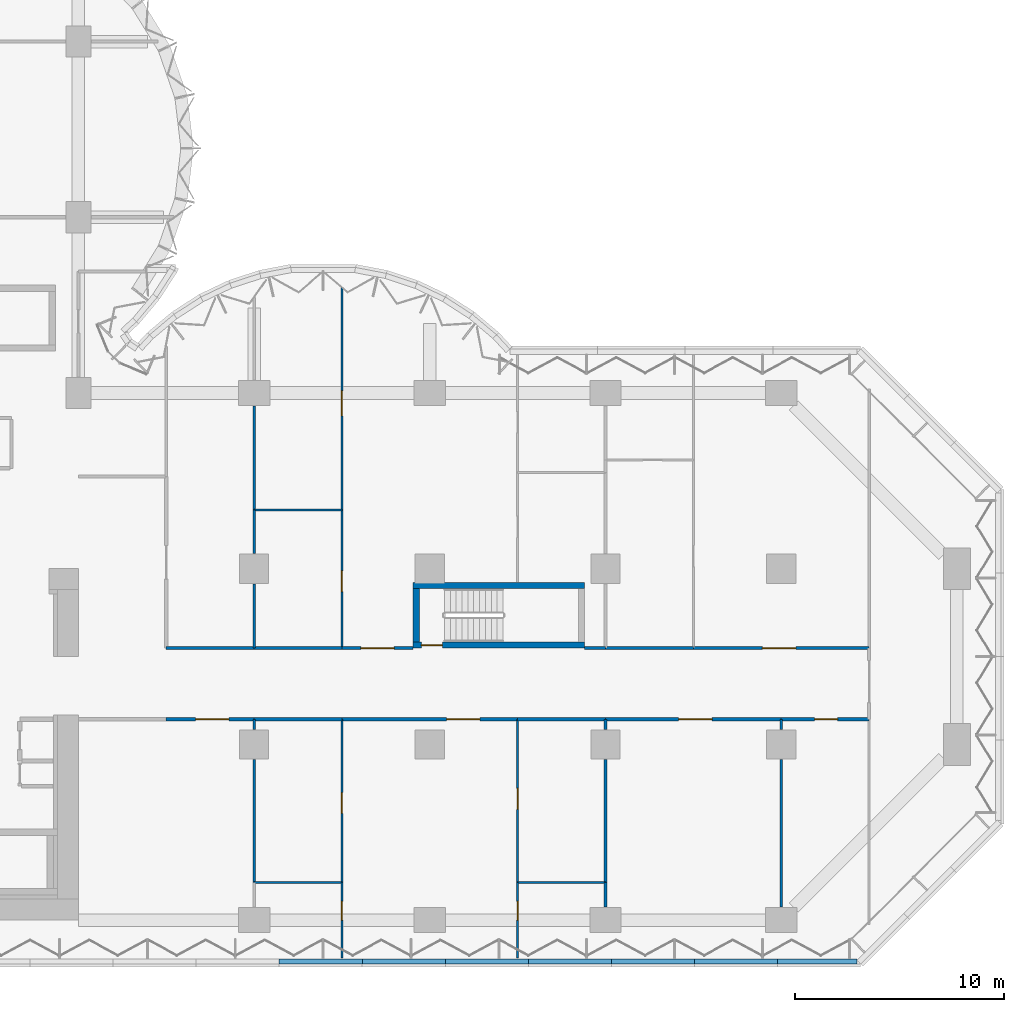
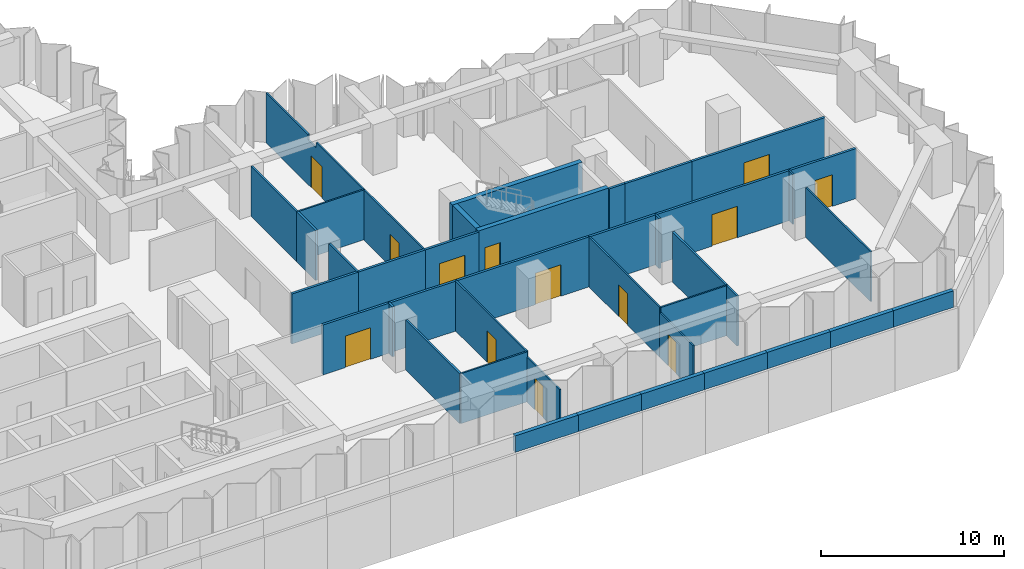
# One storey, part 12 of 24: 41 walls, 13 doors, 13 openings.
"""IFC4 building model written with IfcOpenShell, lengths in metres."""

from ifc_helpers import new_model, si_unit, direction, frame, frame_2d, origin, place, context, subcontext, project, spatial, polyline, rectangle, outline, extrude, material, layer, layer_set, type_object, element, fill, save


model = new_model("IFC4")

# Units and contexts
model_context = context("Model", 3, precision=1e-05, world=origin(), true_north=direction((0.0, 1.0)))
body_context = subcontext(model_context, "Body", "Model", "MODEL_VIEW")
ifc_project = project(units=[si_unit("LENGTHUNIT", "METRE"), si_unit("AREAUNIT", "SQUARE_METRE"), si_unit("VOLUMEUNIT", "CUBIC_METRE"), si_unit("PLANEANGLEUNIT", "RADIAN"), si_unit("MASSUNIT", "GRAM", prefix="KILO")], contexts=[model_context])

# Site, building, storey
site_placement = place(None, origin())
site = spatial("IfcSite", under=ifc_project, at=site_placement, CompositionType="ELEMENT")
building_placement = place(site_placement, origin())
building = spatial("IfcBuilding", under=site, at=building_placement, Name="Brevane Broadcast Tower", CompositionType="ELEMENT")
storey_placement = place(building_placement, frame((0.0, 0.0, 36.5)))
storey = spatial("IfcBuildingStorey", under=building, at=storey_placement, Name="L06", CompositionType="ELEMENT", Elevation=36.5)

# Walls
ifc_material_1 = material(Name="Concrete C50/60", Category="concrete")
ifc_layer_1 = layer(ifc_material_1, 0.25)
ifc_layer_set_1 = layer_set([ifc_layer_1], Name="CORNICE PARAPET 1100")
wall_type_1 = type_object("IfcWallType", Name="CORNICE PARAPET 1100", PredefinedType="PARAPET", material=ifc_layer_set_1)
wall_1_placement = place(storey_placement, frame((62.427001953125, -1.97509765625, 0.0), z_axis=(0.0, 0.0, 1.0), x_axis=(-1.0, 0.0, 0.0)))
element("IfcWall", 1, at=wall_1_placement, inside=storey, type_object=wall_type_1, Name="Cornice parapet", PredefinedType="PARAPET", context=body_context, shape_type="SweptSolid", body=[
    extrude(rectangle(XDim=3.801025390625, YDim=0.25, at=frame_2d((1.900390625, 0.0))), origin(), (0.0, 0.0, 1.0), 1.10009765625),
])
for number, where, z_axis, x_axis, name in (
    (2, (58.6259765625, -1.97509765625, 0.0), (0.0, 0.0, 1.0), (-1.0, 0.0, 0.0), "Cornice parapet"),
    (3, (54.655029296875, -1.97509765625, 0.0), (0.0, 0.0, 1.0), (-1.0, 0.0, 0.0), "Cornice parapet"),
):
    element("IfcWall", number, at=place(storey_placement, frame(where, z_axis=z_axis, x_axis=x_axis)), inside=storey, type_object=wall_type_1, Name=name, PredefinedType="PARAPET", context=body_context, shape_type="SweptSolid", body=[
        extrude(rectangle(XDim=3.970947265625, YDim=0.25, at=frame_2d((1.9853515625, 0.0))), origin(), (0.0, 0.0, 1.0), 1.10009765625),
    ])
wall_2_placement = place(storey_placement, frame((50.68408203125, -1.97509765625, 0.0), z_axis=(0.0, 0.0, 1.0), x_axis=(-1.0, 0.0, 0.0)))
element("IfcWall", 4, at=wall_2_placement, inside=storey, type_object=wall_type_1, Name="Cornice parapet", PredefinedType="PARAPET", context=body_context, shape_type="SweptSolid", body=[
    extrude(rectangle(XDim=3.97119140625, YDim=0.25, at=frame_2d((1.985595703125, 0.0))), origin(), (0.0, 0.0, 1.0), 1.10009765625),
])
for number, where, z_axis, x_axis, name in (
    (5, (46.712890625, -1.97509765625, 0.0), (0.0, 0.0, 1.0), (-1.0, 0.0, 0.0), "Cornice parapet"),
    (6, (42.741943359375, -1.97509765625, 0.0), (0.0, 0.0, 1.0), (-1.0, 0.0, 0.0), "Cornice parapet"),
    (7, (38.77099609375, -1.97509765625, 0.0), (0.0, 0.0, 1.0), (-1.0, 0.0, 0.0), "Cornice parapet"),
):
    element("IfcWall", number, at=place(storey_placement, frame(where, z_axis=z_axis, x_axis=x_axis)), inside=storey, type_object=wall_type_1, Name=name, PredefinedType="PARAPET", context=body_context, shape_type="SweptSolid", body=[
        extrude(rectangle(XDim=3.970947265625, YDim=0.25, at=frame_2d((1.9853515625, 0.0))), origin(), (0.0, 0.0, 1.0), 1.10009765625),
    ])

# Wall, opening, door
ifc_material_2 = material(Name="Concrete C80/95", Category="concrete")
ifc_layer_2 = layer(ifc_material_2, 0.300048828125)
ifc_layer_set_2 = layer_set([ifc_layer_2], Name="Core wall 300 mm C80/95")
wall_type_2 = type_object("IfcWallType", Name="Core wall 300 mm C80/95", PredefinedType="SHEAR", material=ifc_layer_set_2)
wall_3_placement = place(storey_placement, frame((49.39990234375, 13.14990234375, 0.0), z_axis=(0.0, 0.0, 1.0), x_axis=(-1.0, 0.0, 0.0)))
wall_3 = element("IfcWall", 8, at=wall_3_placement, inside=storey, type_object=wall_type_2, Name="L06 stair wall ST-4-S", PredefinedType="SHEAR", context=body_context, shape_type="SweptSolid", body=[
    extrude(rectangle(XDim=8.199951171875, YDim=0.300048828125, at=frame_2d((4.10009765625, 0.0))), origin(), (0.0, 0.0, 1.0), 3.35009765625),
])
opening_1_placement = place(wall_3_placement, frame((6.800048828125, 0.0, 0.0)))
opening_1 = element("IfcOpeningElement", 9, at=opening_1_placement, cuts=wall_3, Name="Opening L06-K15", PredefinedType="OPENING", context=body_context, shape_type="SweptSolid", body=[
    extrude(rectangle(XDim=1.0, YDim=2.10009765625, at=frame_2d((0.5, 1.050048828125))), frame((0.0, 0.159912109375, 0.0), z_axis=(0.0, -1.0, 0.0), x_axis=(1.0, 0.0, 0.0)), (0.0, 0.0, 1.0), 0.320068359375),
])
ifc_material_3 = material(Name="Steel", Category="steel")
door_type_1 = type_object("IfcDoorType", Name="Stair door 1000 x 2100", OperationType="SINGLE_SWING_LEFT", PredefinedType="DOOR", material=ifc_material_3)
door_1_placement = place(opening_1_placement, origin())
door_1 = element("IfcDoor", 10, at=door_1_placement, inside=storey, type_object=door_type_1, Name="Door L06-K15", OperationType="SINGLE_SWING_LEFT", OverallHeight=2.10009765625, OverallWidth=1.0, PredefinedType="DOOR", context=body_context, shape_type="SweptSolid", body=[
    extrude(rectangle(XDim=1.0, YDim=2.10009765625, at=frame_2d((0.5, 1.050048828125))), frame((0.0, 0.02490234375, 0.0), z_axis=(0.0, -1.0, 0.0), x_axis=(1.0, 0.0, 0.0)), (0.0, 0.0, 1.0), 0.050048828125),
])
fill(opening_1, door_1)

# Walls
wall_4_placement = place(storey_placement, frame((41.199951171875, 16.0, 0.0), z_axis=(0.0, 0.0, 1.0), x_axis=(1.0, 0.0, 0.0)))
element("IfcWall", 11, at=wall_4_placement, inside=storey, type_object=wall_type_2, Name="L06 stair wall ST-4-N", PredefinedType="SHEAR", context=body_context, shape_type="SweptSolid", body=[
    extrude(rectangle(XDim=8.199951171875, YDim=0.300048828125, at=frame_2d((4.10009765625, 0.0))), origin(), (0.0, 0.0, 1.0), 3.35009765625),
])
wall_5_placement = place(storey_placement, frame((41.35009765625, 13.300048828125, 0.0), z_axis=(0.0, 0.0, 1.0), x_axis=(0.0, 1.0, 0.0)))
element("IfcWall", 12, at=wall_5_placement, inside=storey, type_object=wall_type_2, Name="L06 stair wall ST-4-W", PredefinedType="SHEAR", context=body_context, shape_type="SweptSolid", body=[
    extrude(rectangle(XDim=2.550048828125, YDim=0.300048828125, at=frame_2d((1.27490234375, 0.0))), origin(), (0.0, 0.0, 1.0), 3.35009765625),
])

# Wall, opening, door
ifc_material_4 = material(Name="Gypsum board partition")
ifc_layer_3 = layer(ifc_material_4, 0.10009765625)
ifc_layer_set_3 = layer_set([ifc_layer_3], Name="PARTITION 100 STUD")
wall_type_3 = type_object("IfcWallType", Name="PARTITION 100 STUD", PredefinedType="PARTITIONING", material=ifc_layer_set_3)
wall_6_placement = place(storey_placement, frame((46.199951171875, 1.800048828125, 0.0), z_axis=(0.0, 0.0, 1.0), x_axis=(0.0, -1.0, 0.0)))
wall_6 = element("IfcWall", 13, at=wall_6_placement, inside=storey, type_object=wall_type_3, Name="Partition G01-025", PredefinedType="PARTITIONING", context=body_context, shape_type="SweptSolid", body=[
    extrude(rectangle(XDim=3.6201171875, YDim=0.10009765625, at=frame_2d((1.81005859375, 0.0))), origin(), (0.0, 0.0, 1.0), 2.97998046875),
])
opening_2_placement = place(wall_6_placement, frame((0.89990234375, 0.0, 0.0)))
opening_2 = element("IfcOpeningElement", 14, at=opening_2_placement, cuts=wall_6, Name="Opening D07-005", PredefinedType="OPENING", context=body_context, shape_type="SweptSolid", body=[
    extrude(rectangle(XDim=0.89990234375, YDim=2.10009765625, at=frame_2d((0.449951171875, 1.050048828125))), frame((0.0, 0.06005859375, 0.0), z_axis=(0.0, -1.0, 0.0), x_axis=(1.0, 0.0, 0.0)), (0.0, 0.0, 1.0), 0.1201171875),
])
ifc_material_5 = material(Name="Timber door leaf", Category="wood")
door_type_2 = type_object("IfcDoorType", Name="DOOR SINGLE 900 INTERNAL", OperationType="SINGLE_SWING_LEFT", PredefinedType="DOOR", material=ifc_material_5)
door_2_placement = place(opening_2_placement, origin())
door_2 = element("IfcDoor", 15, at=door_2_placement, inside=storey, type_object=door_type_2, Name="Door D07-005", OperationType="SINGLE_SWING_LEFT", OverallHeight=2.10009765625, OverallWidth=0.89990234375, PredefinedType="DOOR", context=body_context, shape_type="SweptSolid", body=[
    extrude(rectangle(XDim=0.89990234375, YDim=2.10009765625, at=frame_2d((0.449951171875, 1.050048828125))), frame((0.0, 0.02490234375, 0.0), z_axis=(0.0, -1.0, 0.0), x_axis=(1.0, 0.0, 0.0)), (0.0, 0.0, 1.0), 0.050048828125),
])
fill(opening_2, door_2)

wall_7_placement = place(storey_placement, frame((46.199951171875, 9.60009765625, 0.0), z_axis=(0.0, 0.0, 1.0), x_axis=(0.0, -1.0, 0.0)))
wall_7 = element("IfcWall", 16, at=wall_7_placement, inside=storey, type_object=wall_type_3, Name="Partition G01-026", PredefinedType="PARTITIONING", context=body_context, shape_type="SweptSolid", body=[
    extrude(rectangle(XDim=7.800048828125, YDim=0.10009765625, at=frame_2d((3.89990234375, 0.0))), origin(), (0.0, 0.0, 1.0), 3.330078125),
])
opening_3_placement = place(wall_7_placement, frame((3.300048828125, 0.0, 0.0)))
opening_3 = element("IfcOpeningElement", 17, at=opening_3_placement, cuts=wall_7, Name="Opening D07-006", PredefinedType="OPENING", context=body_context, shape_type="SweptSolid", body=[
    extrude(rectangle(XDim=1.0, YDim=2.10009765625, at=frame_2d((0.5, 1.050048828125))), frame((0.0, 0.06005859375, 0.0), z_axis=(0.0, -1.0, 0.0), x_axis=(1.0, 0.0, 0.0)), (0.0, 0.0, 1.0), 0.1201171875),
])
door_type_3 = type_object("IfcDoorType", Name="DOOR SINGLE 1000 INTERNAL", OperationType="SINGLE_SWING_LEFT", PredefinedType="DOOR", material=ifc_material_5)
door_3_placement = place(opening_3_placement, origin())
door_3 = element("IfcDoor", 18, at=door_3_placement, inside=storey, type_object=door_type_3, Name="Door D07-006", OperationType="SINGLE_SWING_LEFT", OverallHeight=2.10009765625, OverallWidth=1.0, PredefinedType="DOOR", context=body_context, shape_type="SweptSolid", body=[
    extrude(rectangle(XDim=1.0, YDim=2.10009765625, at=frame_2d((0.5, 1.050048828125))), frame((0.0, 0.02490234375, 0.0), z_axis=(0.0, -1.0, 0.0), x_axis=(1.0, 0.0, 0.0)), (0.0, 0.0, 1.0), 0.050048828125),
])
fill(opening_3, door_3)

wall_8_placement = place(storey_placement, frame((37.800048828125, -1.820068359375, 0.0), z_axis=(0.0, 0.0, 1.0), x_axis=(0.0, 1.0, 0.0)))
wall_8 = element("IfcWall", 19, at=wall_8_placement, inside=storey, type_object=wall_type_3, Name="Partition G01-027", PredefinedType="PARTITIONING", context=body_context, shape_type="SweptSolid", body=[
    extrude(rectangle(XDim=3.6201171875, YDim=0.10009765625, at=frame_2d((1.81005859375, 0.0))), origin(), (0.0, 0.0, 1.0), 2.97998046875),
])
opening_4_placement = place(wall_8_placement, frame((1.820068359375, 0.0, 0.0)))
opening_4 = element("IfcOpeningElement", 20, at=opening_4_placement, cuts=wall_8, Name="Opening D07-007", PredefinedType="OPENING", context=body_context, shape_type="SweptSolid", body=[
    extrude(rectangle(XDim=0.89990234375, YDim=2.10009765625, at=frame_2d((0.449951171875, 1.050048828125))), frame((0.0, 0.06005859375, 0.0), z_axis=(0.0, -1.0, 0.0), x_axis=(1.0, 0.0, 0.0)), (0.0, 0.0, 1.0), 0.1201171875),
])
door_4_placement = place(opening_4_placement, origin())
door_4 = element("IfcDoor", 21, at=door_4_placement, inside=storey, type_object=door_type_2, Name="Door D07-007", OperationType="SINGLE_SWING_LEFT", OverallHeight=2.10009765625, OverallWidth=0.89990234375, PredefinedType="DOOR", context=body_context, shape_type="SweptSolid", body=[
    extrude(rectangle(XDim=0.89990234375, YDim=2.10009765625, at=frame_2d((0.449951171875, 1.050048828125))), frame((0.0, 0.02490234375, 0.0), z_axis=(0.0, -1.0, 0.0), x_axis=(1.0, 0.0, 0.0)), (0.0, 0.0, 1.0), 0.050048828125),
])
fill(opening_4, door_4)

wall_9_placement = place(storey_placement, frame((37.800048828125, 1.800048828125, 0.0), z_axis=(0.0, 0.0, 1.0), x_axis=(0.0, 1.0, 0.0)))
wall_9 = element("IfcWall", 22, at=wall_9_placement, inside=storey, type_object=wall_type_3, Name="Partition G01-028", PredefinedType="PARTITIONING", context=body_context, shape_type="SweptSolid", body=[
    extrude(rectangle(XDim=7.800048828125, YDim=0.10009765625, at=frame_2d((3.89990234375, 0.0))), origin(), (0.0, 0.0, 1.0), 3.330078125),
])
opening_5_placement = place(wall_9_placement, frame((3.300048828125, 0.0, 0.0)))
opening_5 = element("IfcOpeningElement", 23, at=opening_5_placement, cuts=wall_9, Name="Opening D07-008", PredefinedType="OPENING", context=body_context, shape_type="SweptSolid", body=[
    extrude(rectangle(XDim=1.0, YDim=2.10009765625, at=frame_2d((0.5, 1.050048828125))), frame((0.0, 0.06005859375, 0.0), z_axis=(0.0, -1.0, 0.0), x_axis=(1.0, 0.0, 0.0)), (0.0, 0.0, 1.0), 0.1201171875),
])
door_5_placement = place(opening_5_placement, origin())
door_5 = element("IfcDoor", 24, at=door_5_placement, inside=storey, type_object=door_type_3, Name="Door D07-008", OperationType="SINGLE_SWING_LEFT", OverallHeight=2.10009765625, OverallWidth=1.0, PredefinedType="DOOR", context=body_context, shape_type="SweptSolid", body=[
    extrude(rectangle(XDim=1.0, YDim=2.10009765625, at=frame_2d((0.5, 1.050048828125))), frame((0.0, 0.02490234375, 0.0), z_axis=(0.0, -1.0, 0.0), x_axis=(1.0, 0.0, 0.0)), (0.0, 0.0, 1.0), 0.050048828125),
])
fill(opening_5, door_5)

# Walls
for number, where, z_axis, x_axis, name in (
    (25, (46.199951171875, 1.800048828125, 0.0), (0.0, 0.0, 1.0), (1.0, 0.0, 0.0), "Partition G01-029"),
    (26, (33.60009765625, 1.800048828125, 0.0), (0.0, 0.0, 1.0), (1.0, 0.0, 0.0), "Partition G01-033"),
):
    element("IfcWall", number, at=place(storey_placement, frame(where, z_axis=z_axis, x_axis=x_axis)), inside=storey, type_object=wall_type_3, Name=name, PredefinedType="PARTITIONING", context=body_context, shape_type="SweptSolid", body=[
        extrude(rectangle(XDim=4.199951171875, YDim=0.10009765625, at=frame_2d((2.10009765625, 0.0))), origin(), (0.0, 0.0, 1.0), 3.330078125),
    ])
wall_10_placement = place(storey_placement, frame((58.800048828125, 9.60009765625, 0.0), z_axis=(0.0, 0.0, 1.0), x_axis=(0.0, -1.0, 0.0)))
element("IfcWall", 27, at=wall_10_placement, inside=storey, type_object=wall_type_3, Name="Partition G01-034", PredefinedType="PARTITIONING", context=body_context, shape_type="SweptSolid", body=[
    extrude(rectangle(XDim=0.47998046875, YDim=0.10009765625, at=frame_2d((0.239990234375, 0.0))), origin(), (0.0, 0.0, 1.0), 3.330078125),
])
wall_11_placement = place(storey_placement, frame((58.800048828125, 7.679931640625, 0.0), z_axis=(0.0, 0.0, 1.0), x_axis=(0.0, -1.0, 0.0)))
element("IfcWall", 28, at=wall_11_placement, inside=storey, type_object=wall_type_3, Name="Partition G01-035", PredefinedType="PARTITIONING", context=body_context, shape_type="SweptSolid", body=[
    extrude(rectangle(XDim=7.059814453125, YDim=0.10009765625, at=frame_2d((3.52978515625, 0.0))), origin(), (0.0, 0.0, 1.0), 3.330078125),
])

# Wall, opening, door
wall_12_placement = place(storey_placement, frame((37.800048828125, 13.0, 0.0), z_axis=(0.0, 0.0, 1.0), x_axis=(0.0, 1.0, 0.0)))
wall_12 = element("IfcWall", 29, at=wall_12_placement, inside=storey, type_object=wall_type_3, Name="Partition G01-042", PredefinedType="PARTITIONING", context=body_context, shape_type="SweptSolid", body=[
    extrude(rectangle(XDim=6.60009765625, YDim=0.10009765625, at=frame_2d((3.300048828125, 0.0))), origin(), (0.0, 0.0, 1.0), 3.330078125),
])
opening_6_placement = place(wall_12_placement, frame((2.699951171875, 0.0, 0.0)))
opening_6 = element("IfcOpeningElement", 30, at=opening_6_placement, cuts=wall_12, Name="Opening D07-015", PredefinedType="OPENING", context=body_context, shape_type="SweptSolid", body=[
    extrude(rectangle(XDim=1.0, YDim=2.10009765625, at=frame_2d((0.5, 1.050048828125))), frame((0.0, 0.06005859375, 0.0), z_axis=(0.0, -1.0, 0.0), x_axis=(1.0, 0.0, 0.0)), (0.0, 0.0, 1.0), 0.1201171875),
])
door_6_placement = place(opening_6_placement, origin())
door_6 = element("IfcDoor", 31, at=door_6_placement, inside=storey, type_object=door_type_3, Name="Door D07-015", OperationType="SINGLE_SWING_LEFT", OverallHeight=2.10009765625, OverallWidth=1.0, PredefinedType="DOOR", context=body_context, shape_type="SweptSolid", body=[
    extrude(rectangle(XDim=1.0, YDim=2.10009765625, at=frame_2d((0.5, 1.050048828125))), frame((0.0, 0.02490234375, 0.0), z_axis=(0.0, -1.0, 0.0), x_axis=(1.0, 0.0, 0.0)), (0.0, 0.0, 1.0), 0.050048828125),
])
fill(opening_6, door_6)

wall_13_placement = place(storey_placement, frame((37.800048828125, 19.60009765625, 0.0), z_axis=(0.0, 0.0, 1.0), x_axis=(0.0, 1.0, 0.0)))
wall_13 = element("IfcWall", 32, at=wall_13_placement, inside=storey, type_object=wall_type_3, Name="Partition G01-043", PredefinedType="PARTITIONING", context=body_context, shape_type="SweptSolid", body=[
    extrude(outline(polyline([(0.0, 0.0), (10.642578125, 0.0), (10.642822265625, 3.330078125), (6.050048828125, 3.330078125), (6.048095703125, 2.97998046875), (5.152099609375, 2.97998046875), (5.14990234375, 3.330078125), (0.0, 3.330078125), (0.0, 0.0)])), frame((0.0, 0.050048828125, 0.0), z_axis=(0.0, -1.0, 0.0), x_axis=(1.0, 0.0, 0.0)), (0.0, 0.0, 1.0), 0.10009765625),
])
opening_7_placement = place(wall_13_placement, frame((4.5, 0.0, 0.0)))
opening_7 = element("IfcOpeningElement", 33, at=opening_7_placement, cuts=wall_13, Name="Opening D07-016", PredefinedType="OPENING", context=body_context, shape_type="SweptSolid", body=[
    extrude(rectangle(XDim=1.199951171875, YDim=2.10009765625, at=frame_2d((0.60009765625, 1.050048828125))), frame((0.0, 0.06005859375, 0.0), z_axis=(0.0, -1.0, 0.0), x_axis=(1.0, 0.0, 0.0)), (0.0, 0.0, 1.0), 0.1201171875),
])
door_type_4 = type_object("IfcDoorType", Name="DOOR SINGLE 1200 INTERNAL", OperationType="SINGLE_SWING_LEFT", PredefinedType="DOOR", material=ifc_material_5)
door_7_placement = place(opening_7_placement, origin())
door_7 = element("IfcDoor", 34, at=door_7_placement, inside=storey, type_object=door_type_4, Name="Door D07-016", OperationType="SINGLE_SWING_LEFT", OverallHeight=2.10009765625, OverallWidth=1.199951171875, PredefinedType="DOOR", context=body_context, shape_type="SweptSolid", body=[
    extrude(rectangle(XDim=1.199951171875, YDim=2.10009765625, at=frame_2d((0.60009765625, 1.050048828125))), frame((0.0, 0.02490234375, 0.0), z_axis=(0.0, -1.0, 0.0), x_axis=(1.0, 0.0, 0.0)), (0.0, 0.0, 1.0), 0.050048828125),
])
fill(opening_7, door_7)

# Walls
wall_14_placement = place(storey_placement, frame((33.60009765625, 19.60009765625, 0.0), z_axis=(0.0, 0.0, 1.0), x_axis=(1.0, 0.0, 0.0)))
element("IfcWall", 35, at=wall_14_placement, inside=storey, type_object=wall_type_3, Name="Partition G01-049", PredefinedType="PARTITIONING", context=body_context, shape_type="SweptSolid", body=[
    extrude(rectangle(XDim=4.199951171875, YDim=0.10009765625, at=frame_2d((2.10009765625, 0.0))), origin(), (0.0, 0.0, 1.0), 3.330078125),
])
ifc_layer_4 = layer(ifc_material_4, 0.125)
ifc_layer_set_4 = layer_set([ifc_layer_4], Name="PARTITION 125 ACOUSTIC")
wall_type_4 = type_object("IfcWallType", Name="PARTITION 125 ACOUSTIC", PredefinedType="PARTITIONING", material=ifc_layer_set_4)
wall_15_placement = place(storey_placement, frame((33.60009765625, 9.60009765625, 0.0), z_axis=(0.0, 0.0, 1.0), x_axis=(0.0, -1.0, 0.0)))
element("IfcWall", 36, at=wall_15_placement, inside=storey, type_object=wall_type_4, Name="Partition G01-023", PredefinedType="PARTITIONING", context=body_context, shape_type="SweptSolid", body=[
    extrude(rectangle(XDim=0.47998046875, YDim=0.125, at=frame_2d((0.239990234375, 0.0))), origin(), (0.0, 0.0, 1.0), 3.330078125),
])
wall_16_placement = place(storey_placement, frame((33.60009765625, 7.679931640625, 0.0), z_axis=(0.0, 0.0, 1.0), x_axis=(0.0, -1.0, 0.0)))
element("IfcWall", 37, at=wall_16_placement, inside=storey, type_object=wall_type_4, Name="Partition G01-024", PredefinedType="PARTITIONING", context=body_context, shape_type="SweptSolid", body=[
    extrude(rectangle(XDim=5.8798828125, YDim=0.125, at=frame_2d((2.93994140625, 0.0))), origin(), (0.0, 0.0, 1.0), 3.330078125),
])
wall_17_placement = place(storey_placement, frame((50.39990234375, 1.800048828125, 0.0), z_axis=(0.0, 0.0, 1.0), x_axis=(0.0, -1.0, 0.0)))
element("IfcWall", 38, at=wall_17_placement, inside=storey, type_object=wall_type_4, Name="Partition G01-030", PredefinedType="PARTITIONING", context=body_context, shape_type="SweptSolid", body=[
    extrude(rectangle(XDim=1.179931640625, YDim=0.125, at=frame_2d((0.58984375, 0.0))), origin(), (0.0, 0.0, 1.0), 3.330078125),
])
wall_18_placement = place(storey_placement, frame((50.39990234375, 9.60009765625, 0.0), z_axis=(0.0, 0.0, 1.0), x_axis=(0.0, -1.0, 0.0)))
element("IfcWall", 39, at=wall_18_placement, inside=storey, type_object=wall_type_4, Name="Partition G01-031", PredefinedType="PARTITIONING", context=body_context, shape_type="SweptSolid", body=[
    extrude(rectangle(XDim=0.47998046875, YDim=0.125, at=frame_2d((0.239990234375, 0.0))), origin(), (0.0, 0.0, 1.0), 3.330078125),
])
wall_19_placement = place(storey_placement, frame((50.39990234375, 7.679931640625, 0.0), z_axis=(0.0, 0.0, 1.0), x_axis=(0.0, -1.0, 0.0)))
element("IfcWall", 40, at=wall_19_placement, inside=storey, type_object=wall_type_4, Name="Partition G01-032", PredefinedType="PARTITIONING", context=body_context, shape_type="SweptSolid", body=[
    extrude(rectangle(XDim=5.8798828125, YDim=0.125, at=frame_2d((2.93994140625, 0.0))), origin(), (0.0, 0.0, 1.0), 3.330078125),
])
wall_20_placement = place(storey_placement, frame((33.60009765625, 19.60009765625, 0.0), z_axis=(0.0, 0.0, 1.0), x_axis=(0.0, -1.0, 0.0)))
element("IfcWall", 41, at=wall_20_placement, inside=storey, type_object=wall_type_4, Name="Partition G01-036", PredefinedType="PARTITIONING", context=body_context, shape_type="SweptSolid", body=[
    extrude(rectangle(XDim=2.080078125, YDim=0.125, at=frame_2d((1.0400390625, 0.0))), origin(), (0.0, 0.0, 1.0), 3.330078125),
])
wall_21_placement = place(storey_placement, frame((33.60009765625, 16.080078125, 0.0), z_axis=(0.0, 0.0, 1.0), x_axis=(0.0, -1.0, 0.0)))
element("IfcWall", 42, at=wall_21_placement, inside=storey, type_object=wall_type_4, Name="Partition G01-037", PredefinedType="PARTITIONING", context=body_context, shape_type="SweptSolid", body=[
    extrude(rectangle(XDim=3.080078125, YDim=0.125, at=frame_2d((1.5400390625, 0.0))), origin(), (0.0, 0.0, 1.0), 3.330078125),
])
wall_22_placement = place(storey_placement, frame((33.60009765625, 24.580078125, 0.0), z_axis=(0.0, 0.0, 1.0), x_axis=(0.0, -1.0, 0.0)))
element("IfcWall", 43, at=wall_22_placement, inside=storey, type_object=wall_type_4, Name="Partition G01-039", PredefinedType="PARTITIONING", context=body_context, shape_type="SweptSolid", body=[
    extrude(rectangle(XDim=4.97998046875, YDim=0.125, at=frame_2d((2.489990234375, 0.0))), origin(), (0.0, 0.0, 1.0), 3.330078125),
])

# Wall, opening, door
ifc_layer_5 = layer(ifc_material_4, 0.14990234375)
ifc_layer_set_5 = layer_set([ifc_layer_5], Name="PARTITION 150 EI 60")
wall_type_5 = type_object("IfcWallType", Name="PARTITION 150 EI 60", PredefinedType="PARTITIONING", material=ifc_layer_set_5)
wall_23_placement = place(storey_placement, frame((33.60009765625, 9.60009765625, 0.0), z_axis=(0.0, 0.0, 1.0), x_axis=(-1.0, 0.0, 0.0)))
wall_23 = element("IfcWall", 44, at=wall_23_placement, inside=storey, type_object=wall_type_5, Name="Partition G01-008", PredefinedType="PARTITIONING", context=body_context, shape_type="SweptSolid", body=[
    extrude(rectangle(XDim=4.2001953125, YDim=0.14990234375, at=frame_2d((2.10009765625, 0.0))), origin(), (0.0, 0.0, 1.0), 3.330078125),
])
opening_8_placement = place(wall_23_placement, frame((1.199951171875, 0.0, 0.0)))
opening_8 = element("IfcOpeningElement", 45, at=opening_8_placement, cuts=wall_23, Name="Opening D07-003", PredefinedType="OPENING", context=body_context, shape_type="SweptSolid", body=[
    extrude(rectangle(XDim=1.60009765625, YDim=2.10009765625, at=frame_2d((0.800048828125, 1.050048828125))), frame((0.0, 0.0849609375, 0.0), z_axis=(0.0, -1.0, 0.0), x_axis=(1.0, 0.0, 0.0)), (0.0, 0.0, 1.0), 0.169921875),
])
ifc_material_6 = material(Name="Fire-rated timber door leaf", Category="wood")
door_type_5 = type_object("IfcDoorType", Name="DOOR DOUBLE 1600 FD30S", OperationType="DOUBLE_DOOR_SINGLE_SWING", PredefinedType="DOOR", material=ifc_material_6)
door_8_placement = place(opening_8_placement, origin())
door_8 = element("IfcDoor", 46, at=door_8_placement, inside=storey, type_object=door_type_5, Name="Door D07-003", OperationType="DOUBLE_DOOR_SINGLE_SWING", OverallHeight=2.10009765625, OverallWidth=1.60009765625, PredefinedType="DOOR", context=body_context, shape_type="SweptSolid", body=[
    extrude(rectangle(XDim=1.60009765625, YDim=2.10009765625, at=frame_2d((0.800048828125, 1.050048828125))), frame((0.0, 0.02490234375, 0.0), z_axis=(0.0, -1.0, 0.0), x_axis=(1.0, 0.0, 0.0)), (0.0, 0.0, 1.0), 0.050048828125),
])
fill(opening_8, door_8)

wall_24_placement = place(storey_placement, frame((46.199951171875, 9.60009765625, 0.0), z_axis=(0.0, 0.0, 1.0), x_axis=(-1.0, 0.0, 0.0)))
wall_24 = element("IfcWall", 47, at=wall_24_placement, inside=storey, type_object=wall_type_5, Name="Partition G01-009", PredefinedType="PARTITIONING", context=body_context, shape_type="SweptSolid", body=[
    extrude(rectangle(XDim=8.39990234375, YDim=0.14990234375, at=frame_2d((4.199951171875, 0.0))), origin(), (0.0, 0.0, 1.0), 3.330078125),
])
opening_9_placement = place(wall_24_placement, frame((1.800048828125, 0.0, 0.0)))
opening_9 = element("IfcOpeningElement", 48, at=opening_9_placement, cuts=wall_24, Name="Opening D07-004", PredefinedType="OPENING", context=body_context, shape_type="SweptSolid", body=[
    extrude(rectangle(XDim=1.60009765625, YDim=2.10009765625, at=frame_2d((0.800048828125, 1.050048828125))), frame((0.0, 0.0849609375, 0.0), z_axis=(0.0, -1.0, 0.0), x_axis=(1.0, 0.0, 0.0)), (0.0, 0.0, 1.0), 0.169921875),
])
door_9_placement = place(opening_9_placement, origin())
door_9 = element("IfcDoor", 49, at=door_9_placement, inside=storey, type_object=door_type_5, Name="Door D07-004", OperationType="DOUBLE_DOOR_SINGLE_SWING", OverallHeight=2.10009765625, OverallWidth=1.60009765625, PredefinedType="DOOR", context=body_context, shape_type="SweptSolid", body=[
    extrude(rectangle(XDim=1.60009765625, YDim=2.10009765625, at=frame_2d((0.800048828125, 1.050048828125))), frame((0.0, 0.02490234375, 0.0), z_axis=(0.0, -1.0, 0.0), x_axis=(1.0, 0.0, 0.0)), (0.0, 0.0, 1.0), 0.050048828125),
])
fill(opening_9, door_9)

# Walls
for number, where, z_axis, x_axis, name in (
    (50, (50.39990234375, 9.60009765625, 0.0), (0.0, 0.0, 1.0), (-1.0, 0.0, 0.0), "Partition G01-010"),
    (51, (37.800048828125, 9.60009765625, 0.0), (0.0, 0.0, 1.0), (-1.0, 0.0, 0.0), "Partition G01-011"),
):
    element("IfcWall", number, at=place(storey_placement, frame(where, z_axis=z_axis, x_axis=x_axis)), inside=storey, type_object=wall_type_5, Name=name, PredefinedType="PARTITIONING", context=body_context, shape_type="SweptSolid", body=[
        extrude(rectangle(XDim=4.199951171875, YDim=0.14990234375, at=frame_2d((2.10009765625, 0.0))), origin(), (0.0, 0.0, 1.0), 3.330078125),
    ])

# Wall, opening, door
wall_25_placement = place(storey_placement, frame((58.800048828125, 9.60009765625, 0.0), z_axis=(0.0, 0.0, 1.0), x_axis=(-1.0, 0.0, 0.0)))
wall_25 = element("IfcWall", 52, at=wall_25_placement, inside=storey, type_object=wall_type_5, Name="Partition G01-012", PredefinedType="PARTITIONING", context=body_context, shape_type="SweptSolid", body=[
    extrude(rectangle(XDim=8.400146484375, YDim=0.14990234375, at=frame_2d((4.2001953125, 0.0))), origin(), (0.0, 0.0, 1.0), 3.330078125),
])
opening_10_placement = place(wall_25_placement, frame((3.300048828125, 0.0, 0.0)))
opening_10 = element("IfcOpeningElement", 53, at=opening_10_placement, cuts=wall_25, Name="Opening D07-009", PredefinedType="OPENING", context=body_context, shape_type="SweptSolid", body=[
    extrude(rectangle(XDim=1.60009765625, YDim=2.10009765625, at=frame_2d((0.800048828125, 1.050048828125))), frame((0.0, 0.0849609375, 0.0), z_axis=(0.0, -1.0, 0.0), x_axis=(1.0, 0.0, 0.0)), (0.0, 0.0, 1.0), 0.169921875),
])
door_10_placement = place(opening_10_placement, origin())
door_10 = element("IfcDoor", 54, at=door_10_placement, inside=storey, type_object=door_type_5, Name="Door D07-009", OperationType="DOUBLE_DOOR_SINGLE_SWING", OverallHeight=2.10009765625, OverallWidth=1.60009765625, PredefinedType="DOOR", context=body_context, shape_type="SweptSolid", body=[
    extrude(rectangle(XDim=1.60009765625, YDim=2.10009765625, at=frame_2d((0.800048828125, 1.050048828125))), frame((0.0, 0.02490234375, 0.0), z_axis=(0.0, -1.0, 0.0), x_axis=(1.0, 0.0, 0.0)), (0.0, 0.0, 1.0), 0.050048828125),
])
fill(opening_10, door_10)

wall_26_placement = place(storey_placement, frame((63.0, 9.60009765625, 0.0), z_axis=(0.0, 0.0, 1.0), x_axis=(-1.0, 0.0, 0.0)))
wall_26 = element("IfcWall", 55, at=wall_26_placement, inside=storey, type_object=wall_type_5, Name="Partition G01-013", PredefinedType="PARTITIONING", context=body_context, shape_type="SweptSolid", body=[
    extrude(rectangle(XDim=4.199951171875, YDim=0.14990234375, at=frame_2d((2.10009765625, 0.0))), origin(), (0.0, 0.0, 1.0), 3.330078125),
])
opening_11_placement = place(wall_26_placement, frame((1.5, 0.0, 0.0)))
opening_11 = element("IfcOpeningElement", 56, at=opening_11_placement, cuts=wall_26, Name="Opening D07-010", PredefinedType="OPENING", context=body_context, shape_type="SweptSolid", body=[
    extrude(rectangle(XDim=1.10009765625, YDim=2.10009765625, at=frame_2d((0.550048828125, 1.050048828125))), frame((0.0, 0.0849609375, 0.0), z_axis=(0.0, -1.0, 0.0), x_axis=(1.0, 0.0, 0.0)), (0.0, 0.0, 1.0), 0.169921875),
])
door_type_6 = type_object("IfcDoorType", Name="DOOR SINGLE 1100 FD30S", OperationType="SINGLE_SWING_LEFT", PredefinedType="DOOR", material=ifc_material_6)
door_11_placement = place(opening_11_placement, origin())
door_11 = element("IfcDoor", 57, at=door_11_placement, inside=storey, type_object=door_type_6, Name="Door D07-010", OperationType="SINGLE_SWING_LEFT", OverallHeight=2.10009765625, OverallWidth=1.10009765625, PredefinedType="DOOR", context=body_context, shape_type="SweptSolid", body=[
    extrude(rectangle(XDim=1.10009765625, YDim=2.10009765625, at=frame_2d((0.550048828125, 1.050048828125))), frame((0.0, 0.02490234375, 0.0), z_axis=(0.0, -1.0, 0.0), x_axis=(1.0, 0.0, 0.0)), (0.0, 0.0, 1.0), 0.050048828125),
])
fill(opening_11, door_11)

# Wall
wall_27_placement = place(storey_placement, frame((29.39990234375, 13.0, 0.0), z_axis=(0.0, 0.0, 1.0), x_axis=(1.0, 0.0, 0.0)))
element("IfcWall", 58, at=wall_27_placement, inside=storey, type_object=wall_type_5, Name="Partition G01-014", PredefinedType="PARTITIONING", context=body_context, shape_type="SweptSolid", body=[
    extrude(rectangle(XDim=4.2001953125, YDim=0.14990234375, at=frame_2d((2.10009765625, 0.0))), origin(), (0.0, 0.0, 1.0), 3.330078125),
])

# Wall, opening, door
wall_28_placement = place(storey_placement, frame((37.800048828125, 13.0, 0.0), z_axis=(0.0, 0.0, 1.0), x_axis=(1.0, 0.0, 0.0)))
wall_28 = element("IfcWall", 59, at=wall_28_placement, inside=storey, type_object=wall_type_5, Name="Partition G01-015", PredefinedType="PARTITIONING", context=body_context, shape_type="SweptSolid", body=[
    extrude(rectangle(XDim=3.39990234375, YDim=0.14990234375, at=frame_2d((1.699951171875, 0.0))), origin(), (0.0, 0.0, 1.0), 3.330078125),
])
opening_12_placement = place(wall_28_placement, frame((0.89990234375, 0.0, 0.0)))
opening_12 = element("IfcOpeningElement", 60, at=opening_12_placement, cuts=wall_28, Name="Opening D07-012", PredefinedType="OPENING", context=body_context, shape_type="SweptSolid", body=[
    extrude(rectangle(XDim=1.60009765625, YDim=2.10009765625, at=frame_2d((0.800048828125, 1.050048828125))), frame((0.0, 0.0849609375, 0.0), z_axis=(0.0, -1.0, 0.0), x_axis=(1.0, 0.0, 0.0)), (0.0, 0.0, 1.0), 0.169921875),
])
door_12_placement = place(opening_12_placement, origin())
door_12 = element("IfcDoor", 61, at=door_12_placement, inside=storey, type_object=door_type_5, Name="Door D07-012", OperationType="DOUBLE_DOOR_SINGLE_SWING", OverallHeight=2.10009765625, OverallWidth=1.60009765625, PredefinedType="DOOR", context=body_context, shape_type="SweptSolid", body=[
    extrude(rectangle(XDim=1.60009765625, YDim=2.10009765625, at=frame_2d((0.800048828125, 1.050048828125))), frame((0.0, 0.02490234375, 0.0), z_axis=(0.0, -1.0, 0.0), x_axis=(1.0, 0.0, 0.0)), (0.0, 0.0, 1.0), 0.050048828125),
])
fill(opening_12, door_12)

# Walls
wall_29_placement = place(storey_placement, frame((49.39990234375, 13.0, 0.0), z_axis=(0.0, 0.0, 1.0), x_axis=(1.0, 0.0, 0.0)))
element("IfcWall", 62, at=wall_29_placement, inside=storey, type_object=wall_type_5, Name="Partition G01-016", PredefinedType="PARTITIONING", context=body_context, shape_type="SweptSolid", body=[
    extrude(rectangle(XDim=1.0, YDim=0.14990234375, at=frame_2d((0.5, 0.0))), origin(), (0.0, 0.0, 1.0), 3.330078125),
])
wall_30_placement = place(storey_placement, frame((33.60009765625, 13.0, 0.0), z_axis=(0.0, 0.0, 1.0), x_axis=(1.0, 0.0, 0.0)))
element("IfcWall", 63, at=wall_30_placement, inside=storey, type_object=wall_type_5, Name="Partition G01-017", PredefinedType="PARTITIONING", context=body_context, shape_type="SweptSolid", body=[
    extrude(rectangle(XDim=4.199951171875, YDim=0.14990234375, at=frame_2d((2.10009765625, 0.0))), origin(), (0.0, 0.0, 1.0), 3.330078125),
])

# Wall, opening, door
wall_31_placement = place(storey_placement, frame((54.60009765625, 13.0, 0.0), z_axis=(0.0, 0.0, 1.0), x_axis=(1.0, 0.0, 0.0)))
wall_31 = element("IfcWall", 64, at=wall_31_placement, inside=storey, type_object=wall_type_5, Name="Partition G01-018", PredefinedType="PARTITIONING", context=body_context, shape_type="SweptSolid", body=[
    extrude(rectangle(XDim=8.39990234375, YDim=0.14990234375, at=frame_2d((4.199951171875, 0.0))), origin(), (0.0, 0.0, 1.0), 3.330078125),
])
opening_13_placement = place(wall_31_placement, frame((3.300048828125, 0.0, 0.0)))
opening_13 = element("IfcOpeningElement", 65, at=opening_13_placement, cuts=wall_31, Name="Opening D07-017", PredefinedType="OPENING", context=body_context, shape_type="SweptSolid", body=[
    extrude(rectangle(XDim=1.60009765625, YDim=2.10009765625, at=frame_2d((0.800048828125, 1.050048828125))), frame((0.0, 0.0849609375, 0.0), z_axis=(0.0, -1.0, 0.0), x_axis=(1.0, 0.0, 0.0)), (0.0, 0.0, 1.0), 0.169921875),
])
door_13_placement = place(opening_13_placement, origin())
door_13 = element("IfcDoor", 66, at=door_13_placement, inside=storey, type_object=door_type_5, Name="Door D07-017", OperationType="DOUBLE_DOOR_SINGLE_SWING", OverallHeight=2.10009765625, OverallWidth=1.60009765625, PredefinedType="DOOR", context=body_context, shape_type="SweptSolid", body=[
    extrude(rectangle(XDim=1.60009765625, YDim=2.10009765625, at=frame_2d((0.800048828125, 1.050048828125))), frame((0.0, 0.02490234375, 0.0), z_axis=(0.0, -1.0, 0.0), x_axis=(1.0, 0.0, 0.0)), (0.0, 0.0, 1.0), 0.050048828125),
])
fill(opening_13, door_13)

# Wall
wall_32_placement = place(storey_placement, frame((50.39990234375, 13.0, 0.0), z_axis=(0.0, 0.0, 1.0), x_axis=(1.0, 0.0, 0.0)))
element("IfcWall", 67, at=wall_32_placement, inside=storey, type_object=wall_type_5, Name="Partition G01-019", PredefinedType="PARTITIONING", context=body_context, shape_type="SweptSolid", body=[
    extrude(rectangle(XDim=4.2001953125, YDim=0.14990234375, at=frame_2d((2.10009765625, 0.0))), origin(), (0.0, 0.0, 1.0), 3.330078125),
])

save(model, "model.ifc")
